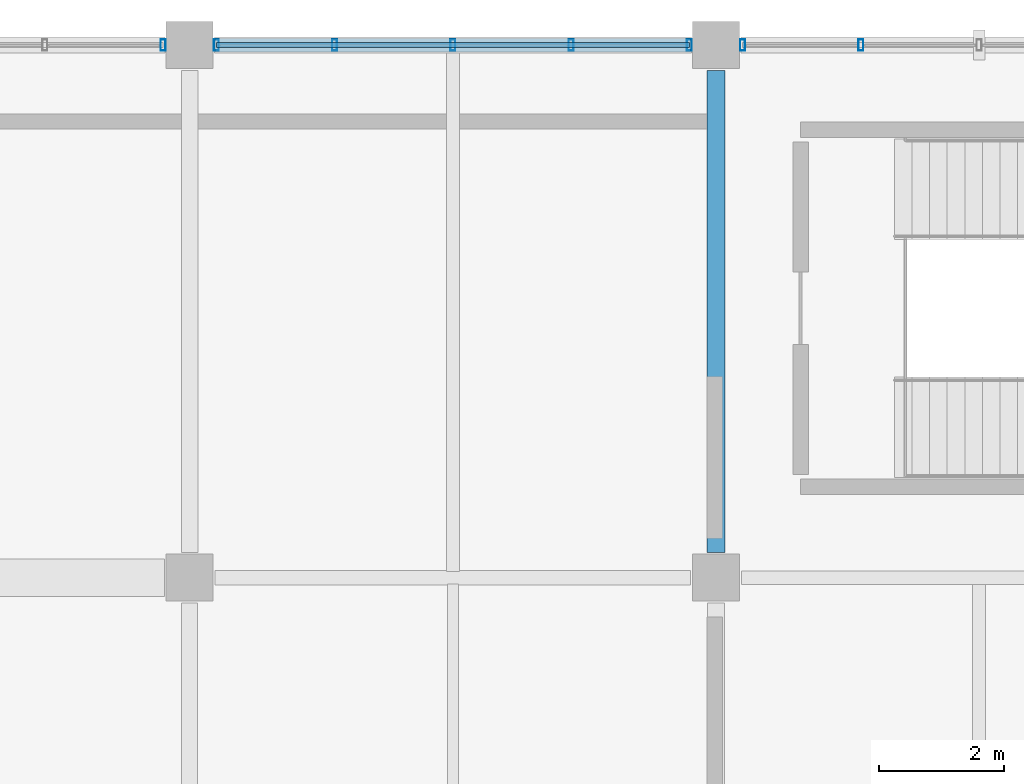
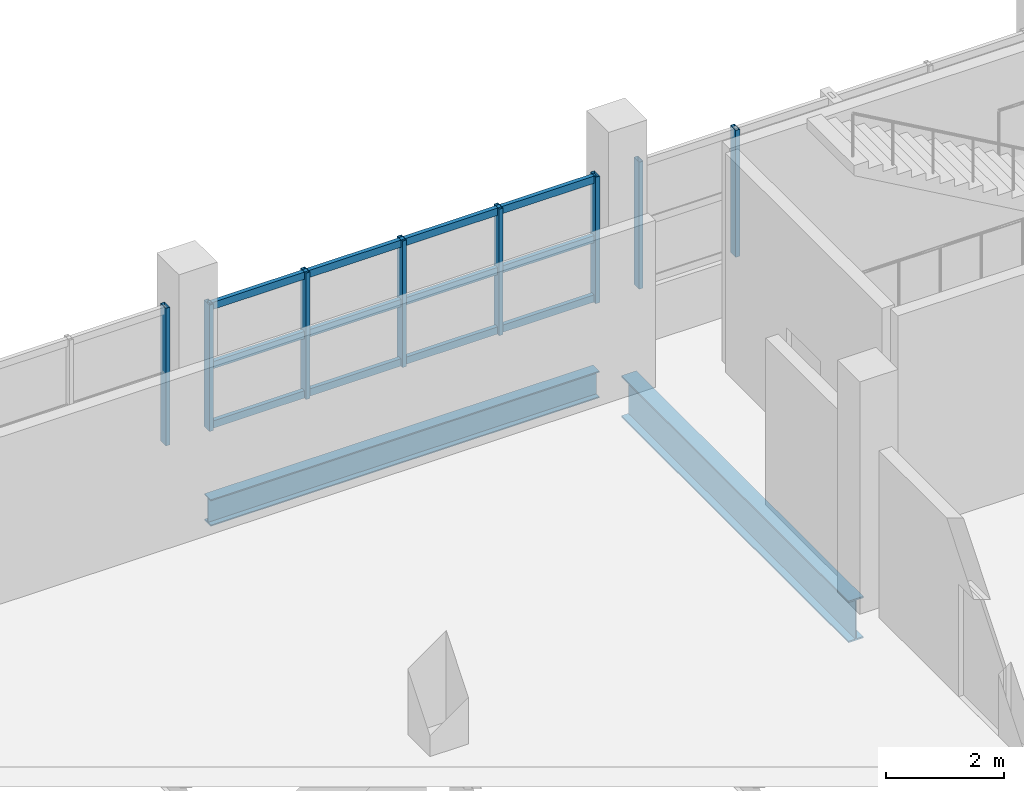
# One storey, part 80 of 117: 11 members, 2 beams, 3 elements without a shape of their own.
"""IFC4 building model written with IfcOpenShell, lengths in metres."""

import ifcopenshell
import ifcopenshell.guid

model = None  # the IFC model being written
_history = None  # IfcOwnerHistory: only IFC2X3 demands one
_inside = {}  # id of a spatial element -> (the spatial element, [elements in it])
_under = {}  # id of a project, library or spatial element -> (it, [spatial elements below it])
_declared = {}  # id of a project -> (the project, [libraries it declares])
_typed = {}  # id of a type object -> (the type object, [elements of that type])
_made_of = {}  # id of a material, layer set ... -> (it, [elements and type objects made of it])


def new_model(schema):
    """Start an empty IFC model of exactly this schema.

    Asked for "IFC4X3", IfcOpenShell would pick the latest addendum, in which some entities
    have other attributes; the version numbers below select the first issue.
    IFC2X3 requires an IfcOwnerHistory on every rooted entity: one is made here for all.
    """
    global model, _history
    if schema == "IFC4X3":
        model = ifcopenshell.file(schema_version=(4, 3, 0, 0))
    else:
        model = ifcopenshell.file(schema=schema)
    _inside.clear()
    _under.clear()
    _declared.clear()
    _typed.clear()
    _made_of.clear()
    _history = None
    if model.schema == "IFC2X3":
        org = make("IfcOrganization", Name="unknown")
        user = make(
            "IfcPersonAndOrganization",
            ThePerson=make("IfcPerson", FamilyName="unknown"),
            TheOrganization=org,
        )
        app = make(
            "IfcApplication",
            ApplicationDeveloper=org,
            Version="unknown",
            ApplicationFullName="unknown",
            ApplicationIdentifier="unknown",
        )
        _history = make(
            "IfcOwnerHistory",
            OwningUser=user,
            OwningApplication=app,
            ChangeAction="ADDED",
            CreationDate=0,
        )
    return model


def make(cls, **values):
    """One entity of the class cls with the attributes given. An attribute that is None is left unset."""
    return model.create_entity(
        cls, **{name: value for name, value in values.items() if value is not None}
    )


def rooted(cls, **values):
    """An entity with a GlobalId (a new one), such as an element, a storey or a relation."""
    return make(cls, GlobalId=ifcopenshell.guid.new(), OwnerHistory=_history, **values)


def si_unit(unit_type, name, prefix=None):
    """IfcSIUnit, for example si_unit("LENGTHUNIT", "METRE", prefix="MILLI")."""
    return make("IfcSIUnit", UnitType=unit_type, Prefix=prefix, Name=name)


def assignment(units):
    """IfcUnitAssignment: the units of a project."""
    return None if units is None else make("IfcUnitAssignment", Units=units)


def point(xyz):
    """IfcCartesianPoint."""
    return None if xyz is None else make("IfcCartesianPoint", Coordinates=xyz)


def direction(xyz):
    """IfcDirection."""
    return None if xyz is None else make("IfcDirection", DirectionRatios=xyz)


def frame(location, z_axis=None, x_axis=None):
    """IfcAxis2Placement3D, a coordinate frame: its origin and axes. An axis left out is left unset."""
    return make(
        "IfcAxis2Placement3D",
        Location=point(location),
        Axis=direction(z_axis),
        RefDirection=direction(x_axis),
    )


def frame_2d(location, x_axis=None):
    """IfcAxis2Placement2D, a coordinate frame in the plane: its origin and x axis."""
    return make(
        "IfcAxis2Placement2D", Location=point(location), RefDirection=direction(x_axis)
    )


def origin():
    """The frame at (0, 0, 0) with its axes left unset."""
    return frame((0.0, 0.0, 0.0))


def origin_2d():
    """The frame at (0, 0) in the plane with its x axis left unset."""
    return frame_2d((0.0, 0.0))


def place(relative_to, where):
    """IfcLocalPlacement: puts the frame where relative to a parent placement (None: the world)."""
    return make(
        "IfcLocalPlacement", PlacementRelTo=relative_to, RelativePlacement=where
    )


def context(
    kind, dimensions, precision=None, world=None, true_north=None, identifier=None
):
    """IfcGeometricRepresentationContext, for example the 3D "Model" context."""
    return make(
        "IfcGeometricRepresentationContext",
        ContextIdentifier=identifier,
        ContextType=kind,
        CoordinateSpaceDimension=dimensions,
        Precision=precision,
        WorldCoordinateSystem=world,
        TrueNorth=true_north,
    )


def subcontext(parent, identifier, kind, view, scale=None):
    """IfcGeometricRepresentationSubContext, for example "Body" below "Model"."""
    return make(
        "IfcGeometricRepresentationSubContext",
        ContextIdentifier=identifier,
        ContextType=kind,
        ParentContext=parent,
        TargetScale=scale,
        TargetView=view,
    )


def project(units=None, contexts=None):
    """IfcProject with its units and contexts."""
    return rooted(
        "IfcProject",
        Name="project",
        RepresentationContexts=contexts,
        UnitsInContext=assignment(units),
    )


def spatial(cls, under=None, at=None, **own):
    """A site, building, storey or space (cls), placed at a placement, below another one or the project."""
    s = rooted(cls, ObjectPlacement=at, **own)
    if under is not None:
        _under.setdefault(under.id(), (under, []))[1].append(s)
    return s


def profile(cls, at=None, kind="AREA", **sizes):
    """A parametric profile (cls). Its sizes go by their IFC names, for example OverallWidth=200.0."""
    return make(cls, ProfileType=kind, Position=at, **sizes)


def hollow_rectangle(**sizes):
    """IfcRectangleHollowProfileDef."""
    return profile("IfcRectangleHollowProfileDef", **sizes)


def i_section(**sizes):
    """IfcIShapeProfileDef."""
    return profile("IfcIShapeProfileDef", **sizes)


def extrude(swept, where, along, depth):
    """IfcExtrudedAreaSolid: the profile swept, set in the frame where, extruded along a direction by depth."""
    return make(
        "IfcExtrudedAreaSolid",
        SweptArea=swept,
        Position=where,
        ExtrudedDirection=direction(along),
        Depth=depth,
    )


def shape(context_of_items, identifier, shape_type, items):
    """IfcShapeRepresentation: the items that make up one representation, for example the "Body"."""
    return make(
        "IfcShapeRepresentation",
        ContextOfItems=context_of_items,
        RepresentationIdentifier=identifier,
        RepresentationType=shape_type,
        Items=items,
    )


def material(Name=None, Category=None):
    """IfcMaterial."""
    return make("IfcMaterial", Name=Name, Category=Category)


def material_profile(
    of_material, cross_section, Name=None, Category=None, Priority=None
):
    """IfcMaterialProfile: a cross section and its material."""
    return make(
        "IfcMaterialProfile",
        Name=Name,
        Material=of_material,
        Profile=cross_section,
        Priority=Priority,
        Category=Category,
    )


def profile_set(profiles, Name=None, composite=None):
    """IfcMaterialProfileSet."""
    return make(
        "IfcMaterialProfileSet",
        Name=Name,
        MaterialProfiles=profiles,
        CompositeProfile=composite,
    )


def made_of(thing, what):
    """Note that an element or type object is made of a material, layer set ...; save() writes the relation."""
    if what is not None:
        _made_of.setdefault(what.id(), (what, []))[1].append(thing)
    return thing


def type_object(cls, material=None, **own):
    """A type object (cls), such as IfcWallType, which elements share."""
    return made_of(rooted(cls, **own), material)


def element(
    cls,
    number,
    at=None,
    inside=None,
    cuts=None,
    type_object=None,
    material=None,
    context=None,
    identifier="Body",
    shape_type=None,
    held_by="IfcProductDefinitionShape",
    body=None,
    shapes=None,
    **own,
):
    """One element of the class cls, such as IfcWall. Its Tag is "e" and its number.

    at: its placement. inside: the storey or other place that contains it. cuts: it is an
    opening in that element (IfcRelVoidsElement). A single representation is given by context,
    identifier, shape_type and body (its items); several are given by shapes. held_by: the class
    of the entity that holds the representations. save() writes the other relations.
    """
    e = rooted(cls, Tag="e%d" % number, ObjectPlacement=at, **own)
    if body is not None:
        shapes = [shape(context, identifier, shape_type, body)]
    if shapes is not None:
        e.Representation = make(held_by, Representations=shapes)
    if inside is not None:
        _inside.setdefault(inside.id(), (inside, []))[1].append(e)
    if cuts is not None:
        rooted(
            "IfcRelVoidsElement", RelatingBuildingElement=cuts, RelatedOpeningElement=e
        )
    if type_object is not None:
        _typed.setdefault(type_object.id(), (type_object, []))[1].append(e)
    return made_of(e, material)


def aggregate(whole, parts):
    """IfcRelAggregates: a whole, such as a stair, and the parts it consists of."""
    return rooted("IfcRelAggregates", RelatingObject=whole, RelatedObjects=parts)


def save(model, path):
    """Write the relations noted so far, then the file.

    IfcRelAggregates (storeys below a building ...), IfcRelContainedInSpatialStructure (elements
    in a storey), IfcRelDefinesByType, IfcRelAssociatesMaterial and IfcRelDeclares: one each for
    every whole, place, type object, material and project.
    """
    for whole, parts in _under.values():
        aggregate(whole, parts)
    for where, things in _inside.values():
        rooted(
            "IfcRelContainedInSpatialStructure",
            RelatedElements=things,
            RelatingStructure=where,
        )
    for kind, things in _typed.values():
        rooted("IfcRelDefinesByType", RelatedObjects=things, RelatingType=kind)
    for what, things in _made_of.values():
        rooted("IfcRelAssociatesMaterial", RelatedObjects=things, RelatingMaterial=what)
    for by, libraries in _declared.values():
        rooted("IfcRelDeclares", RelatingContext=by, RelatedDefinitions=libraries)
    model.write(path)


model = new_model("IFC4")

# Units and contexts
model_context = context("Model", 3, precision=1e-05, world=origin(), true_north=direction((0.0, 1.0)))
body_context = subcontext(model_context, "Body", "Model", "MODEL_VIEW")
ifc_project = project(units=[si_unit("LENGTHUNIT", "METRE"), si_unit("AREAUNIT", "SQUARE_METRE"), si_unit("VOLUMEUNIT", "CUBIC_METRE"), si_unit("PLANEANGLEUNIT", "RADIAN"), si_unit("MASSUNIT", "GRAM", prefix="KILO")], contexts=[model_context])

# Site, building, storey
site_placement = place(None, origin())
site = spatial("IfcSite", under=ifc_project, at=site_placement, CompositionType="ELEMENT")
building_placement = place(site_placement, origin())
building = spatial("IfcBuilding", under=site, at=building_placement, Name="Solvento Point Concert Hall", CompositionType="ELEMENT")
storey_placement = place(building_placement, frame((0.0, 0.0, 5.39990234375)))
storey = spatial("IfcBuildingStorey", under=building, at=storey_placement, Name="L01", CompositionType="ELEMENT", Elevation=5.39990234375)

# Beams
ifc_material_1 = material(Name="Structural Steel ASTM A992 Grade 50", Category="steel")
ifc_material_profile_1 = material_profile(ifc_material_1, i_section(OverallWidth=0.214111328125, OverallDepth=0.549072265625, WebThickness=0.0146484375, FlangeThickness=0.023681640625, at=origin_2d()), Name="W21X93")
ifc_profile_set_1 = profile_set([ifc_material_profile_1], Name="Structural Steel ASTM A992 Grade 50")
beam_type_1 = type_object("IfcBeamType", Name="Beam_W21X93", PredefinedType="BEAM", material=ifc_profile_set_1)
beam_1_placement = place(storey_placement, frame((49.60400390625, 136.0, -0.558349609375), z_axis=(1.0, 0.0, 0.0), x_axis=(0.0, 1.0, 0.0)))
element("IfcBeam", 1, at=beam_1_placement, inside=storey, type_object=beam_type_1, Name="Primary girder B-48 L01", PredefinedType="BEAM", context=body_context, shape_type="SweptSolid", body=[
    extrude(i_section(OverallWidth=0.214111328125, OverallDepth=0.549072265625, WebThickness=0.0146484375, FlangeThickness=0.023681640625, at=origin_2d()), origin(), (0.0, 0.0, 1.0), 7.592041015625),
])
ifc_material_2 = material(Name="Structural Steel ASTM A992 Grade 50", Category="steel")
ifc_material_profile_2 = material_profile(ifc_material_2, i_section(OverallWidth=0.2919921875, OverallDepth=0.85888671875, WebThickness=0.01708984375, FlangeThickness=0.031005859375, at=origin_2d()), Name="W33X169")
ifc_profile_set_2 = profile_set([ifc_material_profile_2], Name="Structural Steel ASTM A992 Grade 50")
beam_type_2 = type_object("IfcBeamType", Name="Girder_W33X169", PredefinedType="USERDEFINED", material=ifc_profile_set_2)
beam_2_placement = place(storey_placement, frame((57.60009765625, 127.904052734375, -0.71337890625), z_axis=(0.0, 1.0, 0.0), x_axis=(-1.0, 0.0, 0.0)))
element("IfcBeam", 2, at=beam_2_placement, inside=storey, type_object=beam_type_2, Name="Primary girder B-33 L01", ObjectType="GIRDER", PredefinedType="USERDEFINED", context=body_context, shape_type="SweptSolid", body=[
    extrude(i_section(OverallWidth=0.2919921875, OverallDepth=0.85888671875, WebThickness=0.01708984375, FlangeThickness=0.031005859375, at=origin_2d()), origin(), (0.0, 0.0, 1.0), 7.69189453125),
])

# Curtain wall, member
ifc_material_3 = material(Name="Anodized Bronze Aluminium", Category="aluminium")
curtain_wall_type = type_object("IfcCurtainWallType", Name="CurtainWall_CourtPilotis", PredefinedType="USERDEFINED", material=ifc_material_3)
curtain_wall_1_placement = place(storey_placement, origin())
curtain_wall_1 = element("IfcCurtainWall", 3, at=curtain_wall_1_placement, inside=storey, type_object=curtain_wall_type, Name="Unitised curtain wall CW-96 UCW-L01-128", ObjectType="UNITISED CURTAIN WALL", PredefinedType="USERDEFINED")
ifc_material_4 = material(Name="Anodized Bronze Aluminium", Category="aluminium")
ifc_material_profile_3 = material_profile(ifc_material_4, hollow_rectangle(XDim=0.080078125, YDim=0.179931640625, WallThickness=0.00390625, at=origin_2d()), Name="CW-MUL-80X180")
ifc_profile_set_3 = profile_set([ifc_material_profile_3], Name="Anodized Bronze Aluminium")
member_type_1 = type_object("IfcMemberType", Name="Mullion_80x180", PredefinedType="MULLION", material=ifc_profile_set_3)
member_1_placement = place(storey_placement, frame((48.77490234375, 136.0, 1.1201171875), z_axis=(0.0, 0.0, 1.0), x_axis=(1.0, 0.0, 0.0)))
member_1 = element("IfcMember", 4, at=member_1_placement, type_object=member_type_1, Name="Curtain wall mullion ML-01", PredefinedType="MULLION", context=body_context, shape_type="SweptSolid", body=[
    extrude(hollow_rectangle(XDim=0.080078125, YDim=0.179931640625, WallThickness=0.00390625, at=origin_2d()), origin(), (0.0, 0.0, 1.0), 2.844970703125),
])
aggregate(curtain_wall_1, [member_1])

# Curtain wall, members
curtain_wall_2_placement = place(storey_placement, origin())
curtain_wall_2 = element("IfcCurtainWall", 5, at=curtain_wall_2_placement, inside=storey, type_object=curtain_wall_type, Name="Unitised curtain wall CW-96 UCW-L01-129", ObjectType="UNITISED CURTAIN WALL", PredefinedType="USERDEFINED")
member_2_placement = place(storey_placement, frame((49.625, 136.0, 1.1201171875), z_axis=(0.0, 0.0, 1.0), x_axis=(1.0, 0.0, 0.0)))
member_2 = element("IfcMember", 6, at=member_2_placement, type_object=member_type_1, Name="Curtain wall mullion ML-01", PredefinedType="MULLION", context=body_context, shape_type="SweptSolid", body=[
    extrude(hollow_rectangle(XDim=0.080078125, YDim=0.179931640625, WallThickness=0.00390625, at=origin_2d()), origin(), (0.0, 0.0, 1.0), 2.614013671875),
])
member_3_placement = place(storey_placement, frame((51.512451171875, 136.0, 1.1201171875), z_axis=(0.0, 0.0, 1.0), x_axis=(1.0, 0.0, 0.0)))
member_3 = element("IfcMember", 7, at=member_3_placement, type_object=member_type_1, Name="Curtain wall mullion ML-01", PredefinedType="MULLION", context=body_context, shape_type="SweptSolid", body=[
    extrude(hollow_rectangle(XDim=0.080078125, YDim=0.179931640625, WallThickness=0.00390625, at=origin_2d()), origin(), (0.0, 0.0, 1.0), 2.614013671875),
])
member_4_placement = place(storey_placement, frame((53.39990234375, 136.0, 1.1201171875), z_axis=(0.0, 0.0, 1.0), x_axis=(1.0, 0.0, 0.0)))
member_4 = element("IfcMember", 8, at=member_4_placement, type_object=member_type_1, Name="Curtain wall mullion ML-01", PredefinedType="MULLION", context=body_context, shape_type="SweptSolid", body=[
    extrude(hollow_rectangle(XDim=0.080078125, YDim=0.179931640625, WallThickness=0.00390625, at=origin_2d()), origin(), (0.0, 0.0, 1.0), 2.614013671875),
])
member_5_placement = place(storey_placement, frame((55.28759765625, 136.0, 1.1201171875), z_axis=(0.0, 0.0, 1.0), x_axis=(1.0, 0.0, 0.0)))
member_5 = element("IfcMember", 9, at=member_5_placement, type_object=member_type_1, Name="Curtain wall mullion ML-01", PredefinedType="MULLION", context=body_context, shape_type="SweptSolid", body=[
    extrude(hollow_rectangle(XDim=0.080078125, YDim=0.179931640625, WallThickness=0.00390625, at=origin_2d()), origin(), (0.0, 0.0, 1.0), 2.614013671875),
])
member_6_placement = place(storey_placement, frame((57.175048828125, 136.0, 1.1201171875), z_axis=(0.0, 0.0, 1.0), x_axis=(1.0, 0.0, 0.0)))
member_6 = element("IfcMember", 10, at=member_6_placement, type_object=member_type_1, Name="Curtain wall mullion ML-01", PredefinedType="MULLION", context=body_context, shape_type="SweptSolid", body=[
    extrude(hollow_rectangle(XDim=0.080078125, YDim=0.179931640625, WallThickness=0.00390625, at=origin_2d()), origin(), (0.0, 0.0, 1.0), 2.614013671875),
])

curtain_wall_3_placement = place(storey_placement, origin())
curtain_wall_3 = element("IfcCurtainWall", 11, at=curtain_wall_3_placement, inside=storey, type_object=curtain_wall_type, Name="Unitised curtain wall CW-96 UCW-L01-130", ObjectType="UNITISED CURTAIN WALL", PredefinedType="USERDEFINED")
member_7_placement = place(storey_placement, frame((58.02490234375, 136.0, 1.1201171875), z_axis=(0.0, 0.0, 1.0), x_axis=(1.0, 0.0, 0.0)))
member_7 = element("IfcMember", 12, at=member_7_placement, type_object=member_type_1, Name="Curtain wall mullion ML-01", PredefinedType="MULLION", context=body_context, shape_type="SweptSolid", body=[
    extrude(hollow_rectangle(XDim=0.080078125, YDim=0.179931640625, WallThickness=0.00390625, at=origin_2d()), origin(), (0.0, 0.0, 1.0), 2.6240234375),
])
member_8_placement = place(storey_placement, frame((59.91259765625, 136.0, 1.1201171875), z_axis=(0.0, 0.0, 1.0), x_axis=(1.0, 0.0, 0.0)))
member_8 = element("IfcMember", 13, at=member_8_placement, type_object=member_type_1, Name="Curtain wall mullion ML-01", PredefinedType="MULLION", context=body_context, shape_type="SweptSolid", body=[
    extrude(hollow_rectangle(XDim=0.080078125, YDim=0.179931640625, WallThickness=0.00390625, at=origin_2d()), origin(), (0.0, 0.0, 1.0), 2.6240234375),
])
aggregate(curtain_wall_3, [member_7, member_8])

# Member
ifc_material_5 = material(Name="Anodized Bronze Aluminium", Category="aluminium")
ifc_material_profile_4 = material_profile(ifc_material_5, hollow_rectangle(XDim=0.080078125, YDim=0.14990234375, WallThickness=0.00390625, at=origin_2d()), Name="CW-TRN-80X150")
ifc_profile_set_4 = profile_set([ifc_material_profile_4], Name="Anodized Bronze Aluminium")
member_type_2 = type_object("IfcMemberType", Name="Transom_80x150", PredefinedType="USERDEFINED", material=ifc_profile_set_4)
member_9_placement = place(storey_placement, frame((49.625, 136.0, 1.2001953125), z_axis=(1.0, 0.0, 0.0), x_axis=(0.0, 1.0, 0.0)))
member_9 = element("IfcMember", 14, at=member_9_placement, type_object=member_type_2, Name="Curtain wall transom TR-01", ObjectType="TRANSOM", PredefinedType="USERDEFINED", context=body_context, shape_type="SweptSolid", body=[
    extrude(hollow_rectangle(XDim=0.080078125, YDim=0.14990234375, WallThickness=0.00390625, at=origin_2d()), origin(), (0.0, 0.0, 1.0), 7.550048828125),
])

member_10_placement = place(storey_placement, frame((49.625, 136.0, 2.427001953125), z_axis=(1.0, 0.0, 0.0), x_axis=(0.0, 1.0, 0.0)))
member_10 = element("IfcMember", 15, at=member_10_placement, type_object=member_type_2, Name="Curtain wall transom TR-01", ObjectType="TRANSOM", PredefinedType="USERDEFINED", context=body_context, shape_type="SweptSolid", body=[
    extrude(hollow_rectangle(XDim=0.080078125, YDim=0.14990234375, WallThickness=0.00390625, at=origin_2d()), origin(), (0.0, 0.0, 1.0), 7.550048828125),
])

member_11_placement = place(storey_placement, frame((49.625, 136.0, 3.654052734375), z_axis=(1.0, 0.0, 0.0), x_axis=(0.0, 1.0, 0.0)))
member_11 = element("IfcMember", 16, at=member_11_placement, type_object=member_type_2, Name="Curtain wall transom TR-01", ObjectType="TRANSOM", PredefinedType="USERDEFINED", context=body_context, shape_type="SweptSolid", body=[
    extrude(hollow_rectangle(XDim=0.080078125, YDim=0.14990234375, WallThickness=0.00390625, at=origin_2d()), origin(), (0.0, 0.0, 1.0), 7.550048828125),
])

aggregate(curtain_wall_2, [member_2, member_3, member_4, member_5, member_6, member_9, member_10, member_11])

save(model, "model.ifc")
